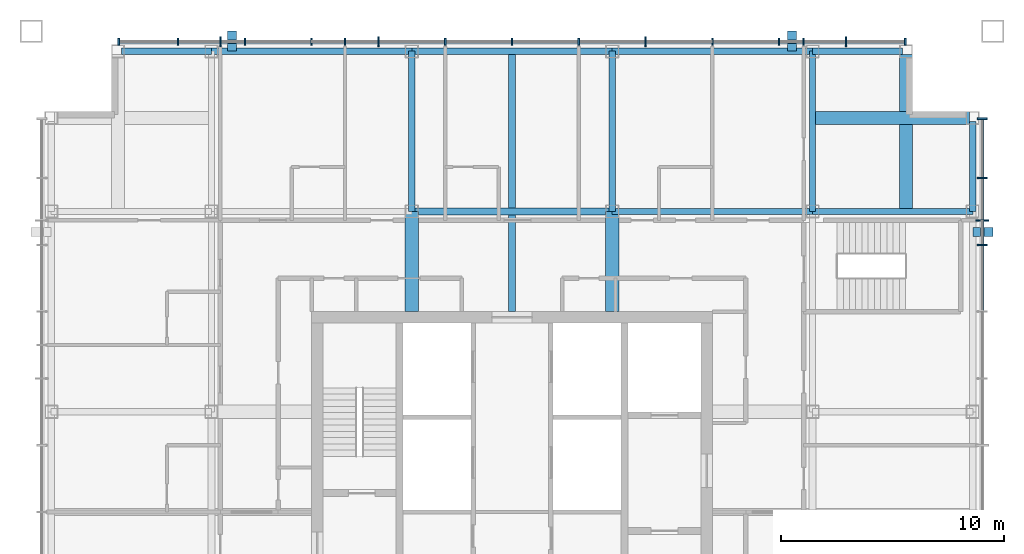
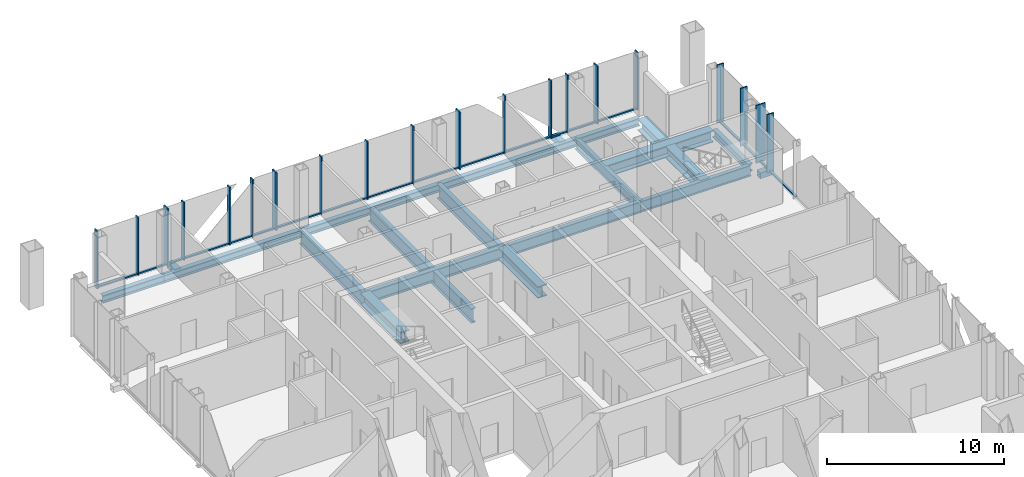
# One storey, part 5 of 14: 42 members, 17 beams, 2 elements without a shape of their own.
"""IFC4 building model written with IfcOpenShell, lengths in metres."""

from ifc_helpers import new_model, si_unit, direction, frame, origin, origin_2d, place, context, subcontext, project, spatial, rectangle, hollow_rectangle, i_section, extrude, material, layer, layer_set, material_profile, profile_set, type_object, element, aggregate, save


model = new_model("IFC4")

# Units and contexts
model_context = context("Model", 3, precision=1e-05, world=origin(), true_north=direction((0.0, 1.0)))
body_context = subcontext(model_context, "Body", "Model", "MODEL_VIEW")
ifc_project = project(units=[si_unit("LENGTHUNIT", "METRE"), si_unit("AREAUNIT", "SQUARE_METRE"), si_unit("VOLUMEUNIT", "CUBIC_METRE"), si_unit("PLANEANGLEUNIT", "RADIAN"), si_unit("MASSUNIT", "GRAM", prefix="KILO")], contexts=[model_context])

# Site, building, storey
site_placement = place(None, origin())
site = spatial("IfcSite", under=ifc_project, at=site_placement, CompositionType="ELEMENT")
building_placement = place(site_placement, origin())
building = spatial("IfcBuilding", under=site, at=building_placement, Name="Malebo Sky Hospital", CompositionType="ELEMENT")
storey_placement = place(building_placement, frame((0.0, 0.0, 258.0)))
storey = spatial("IfcBuildingStorey", under=building, at=storey_placement, Name="L62", CompositionType="ELEMENT", Elevation=258.0)

# Curtain wall, members
ifc_material_1 = material(Name="Anodised aluminium, natural silver", Category="aluminium")
ifc_layer_1 = layer(ifc_material_1, 0.25)
ifc_layer_set_1 = layer_set([ifc_layer_1], Name="WARD CURTAIN WALL NORTH AND SOUTH")
curtain_wall_type_1 = type_object("IfcCurtainWallType", Name="WARD CURTAIN WALL NORTH AND SOUTH", PredefinedType="NOTDEFINED", material=ifc_layer_set_1)
curtain_wall_1_placement = place(storey_placement, origin())
curtain_wall_1 = element("IfcCurtainWall", 1, at=curtain_wall_1_placement, inside=storey, type_object=curtain_wall_type_1, Name="NS curtain wall N", PredefinedType="NOTDEFINED")
ifc_material_profile_1 = material_profile(ifc_material_1, rectangle(XDim=0.14990234375, YDim=0.10009765625, at=origin_2d()), Name="ALUMINIUM TRANSOM 150x100")
ifc_profile_set_1 = profile_set([ifc_material_profile_1], Name="Anodised aluminium, natural silver")
member_type_1 = type_object("IfcMemberType", Name="ALUMINIUM TRANSOM 150x100", PredefinedType="USERDEFINED", material=ifc_profile_set_1)
member_1_placement = place(storey_placement, frame((42.375, 83.125, 0.050048828125), z_axis=(1.0, 0.0, 0.0), x_axis=(0.0, 1.0, 0.0)))
member_1 = element("IfcMember", 2, at=member_1_placement, type_object=member_type_1, Name="Transom 1", ObjectType="TRANSOM", PredefinedType="USERDEFINED", context=body_context, shape_type="SweptSolid", body=[
    extrude(rectangle(XDim=0.14990234375, YDim=0.10009765625, at=origin_2d()), origin(), (0.0, 0.0, 1.0), 2.58740234375),
])
member_2_placement = place(storey_placement, frame((45.03759765625, 83.125, 0.050048828125), z_axis=(1.0, 0.0, 0.0), x_axis=(0.0, 1.0, 0.0)))
member_2 = element("IfcMember", 3, at=member_2_placement, type_object=member_type_1, Name="Transom 2", ObjectType="TRANSOM", PredefinedType="USERDEFINED", context=body_context, shape_type="SweptSolid", body=[
    extrude(rectangle(XDim=0.14990234375, YDim=0.10009765625, at=origin_2d()), origin(), (0.0, 0.0, 1.0), 1.824951171875),
])
member_3_placement = place(storey_placement, frame((46.9375, 83.125, 0.050048828125), z_axis=(1.0, 0.0, 0.0), x_axis=(0.0, 1.0, 0.0)))
member_3 = element("IfcMember", 4, at=member_3_placement, type_object=member_type_1, Name="Transom 3", ObjectType="TRANSOM", PredefinedType="USERDEFINED", context=body_context, shape_type="SweptSolid", body=[
    extrude(rectangle(XDim=0.14990234375, YDim=0.10009765625, at=origin_2d()), origin(), (0.0, 0.0, 1.0), 1.02490234375),
])
member_4_placement = place(storey_placement, frame((48.03759765625, 83.125, 0.050048828125), z_axis=(1.0, 0.0, 0.0), x_axis=(0.0, 1.0, 0.0)))
member_4 = element("IfcMember", 5, at=member_4_placement, type_object=member_type_1, Name="Transom 4", ObjectType="TRANSOM", PredefinedType="USERDEFINED", context=body_context, shape_type="SweptSolid", body=[
    extrude(rectangle(XDim=0.14990234375, YDim=0.10009765625, at=origin_2d()), origin(), (0.0, 0.0, 1.0), 2.9248046875),
])
member_5_placement = place(storey_placement, frame((51.03759765625, 83.125, 0.050048828125), z_axis=(1.0, 0.0, 0.0), x_axis=(0.0, 1.0, 0.0)))
member_5 = element("IfcMember", 6, at=member_5_placement, type_object=member_type_1, Name="Transom 5", ObjectType="TRANSOM", PredefinedType="USERDEFINED", context=body_context, shape_type="SweptSolid", body=[
    extrude(rectangle(XDim=0.14990234375, YDim=0.10009765625, at=origin_2d()), origin(), (0.0, 0.0, 1.0), 1.4248046875),
])
member_6_placement = place(storey_placement, frame((52.53759765625, 83.125, 0.050048828125), z_axis=(1.0, 0.0, 0.0), x_axis=(0.0, 1.0, 0.0)))
member_6 = element("IfcMember", 7, at=member_6_placement, type_object=member_type_1, Name="Transom 6", ObjectType="TRANSOM", PredefinedType="USERDEFINED", context=body_context, shape_type="SweptSolid", body=[
    extrude(rectangle(XDim=0.14990234375, YDim=0.10009765625, at=origin_2d()), origin(), (0.0, 0.0, 1.0), 1.4248046875),
])
member_7_placement = place(storey_placement, frame((54.03759765625, 83.125, 0.050048828125), z_axis=(1.0, 0.0, 0.0), x_axis=(0.0, 1.0, 0.0)))
member_7 = element("IfcMember", 8, at=member_7_placement, type_object=member_type_1, Name="Transom 7", ObjectType="TRANSOM", PredefinedType="USERDEFINED", context=body_context, shape_type="SweptSolid", body=[
    extrude(rectangle(XDim=0.14990234375, YDim=0.10009765625, at=origin_2d()), origin(), (0.0, 0.0, 1.0), 2.9248046875),
])
member_8_placement = place(storey_placement, frame((57.03759765625, 83.125, 0.050048828125), z_axis=(1.0, 0.0, 0.0), x_axis=(0.0, 1.0, 0.0)))
member_8 = element("IfcMember", 9, at=member_8_placement, type_object=member_type_1, Name="Transom 8", ObjectType="TRANSOM", PredefinedType="USERDEFINED", context=body_context, shape_type="SweptSolid", body=[
    extrude(rectangle(XDim=0.14990234375, YDim=0.10009765625, at=origin_2d()), origin(), (0.0, 0.0, 1.0), 2.9248046875),
])
member_9_placement = place(storey_placement, frame((60.03759765625, 83.125, 0.050048828125), z_axis=(1.0, 0.0, 0.0), x_axis=(0.0, 1.0, 0.0)))
member_9 = element("IfcMember", 10, at=member_9_placement, type_object=member_type_1, Name="Transom 9", ObjectType="TRANSOM", PredefinedType="USERDEFINED", context=body_context, shape_type="SweptSolid", body=[
    extrude(rectangle(XDim=0.14990234375, YDim=0.10009765625, at=origin_2d()), origin(), (0.0, 0.0, 1.0), 2.9248046875),
])
member_10_placement = place(storey_placement, frame((63.03759765625, 83.125, 0.050048828125), z_axis=(1.0, 0.0, 0.0), x_axis=(0.0, 1.0, 0.0)))
member_10 = element("IfcMember", 11, at=member_10_placement, type_object=member_type_1, Name="Transom 10", ObjectType="TRANSOM", PredefinedType="USERDEFINED", context=body_context, shape_type="SweptSolid", body=[
    extrude(rectangle(XDim=0.14990234375, YDim=0.10009765625, at=origin_2d()), origin(), (0.0, 0.0, 1.0), 2.9248046875),
])
member_11_placement = place(storey_placement, frame((66.03759765625, 83.125, 0.050048828125), z_axis=(1.0, 0.0, 0.0), x_axis=(0.0, 1.0, 0.0)))
member_11 = element("IfcMember", 12, at=member_11_placement, type_object=member_type_1, Name="Transom 11", ObjectType="TRANSOM", PredefinedType="USERDEFINED", context=body_context, shape_type="SweptSolid", body=[
    extrude(rectangle(XDim=0.14990234375, YDim=0.10009765625, at=origin_2d()), origin(), (0.0, 0.0, 1.0), 2.9248046875),
])
member_12_placement = place(storey_placement, frame((69.03759765625, 83.125, 0.050048828125), z_axis=(1.0, 0.0, 0.0), x_axis=(0.0, 1.0, 0.0)))
member_12 = element("IfcMember", 13, at=member_12_placement, type_object=member_type_1, Name="Transom 12", ObjectType="TRANSOM", PredefinedType="USERDEFINED", context=body_context, shape_type="SweptSolid", body=[
    extrude(rectangle(XDim=0.14990234375, YDim=0.10009765625, at=origin_2d()), origin(), (0.0, 0.0, 1.0), 2.9248046875),
])
member_13_placement = place(storey_placement, frame((72.03759765625, 83.125, 0.050048828125), z_axis=(1.0, 0.0, 0.0), x_axis=(0.0, 1.0, 0.0)))
member_13 = element("IfcMember", 14, at=member_13_placement, type_object=member_type_1, Name="Transom 13", ObjectType="TRANSOM", PredefinedType="USERDEFINED", context=body_context, shape_type="SweptSolid", body=[
    extrude(rectangle(XDim=0.14990234375, YDim=0.10009765625, at=origin_2d()), origin(), (0.0, 0.0, 1.0), 1.02490234375),
])
member_14_placement = place(storey_placement, frame((73.137451171875, 83.125, 0.050048828125), z_axis=(1.0, 0.0, 0.0), x_axis=(0.0, 1.0, 0.0)))
member_14 = element("IfcMember", 15, at=member_14_placement, type_object=member_type_1, Name="Transom 14", ObjectType="TRANSOM", PredefinedType="USERDEFINED", context=body_context, shape_type="SweptSolid", body=[
    extrude(rectangle(XDim=0.14990234375, YDim=0.10009765625, at=origin_2d()), origin(), (0.0, 0.0, 1.0), 1.824951171875),
])
member_15_placement = place(storey_placement, frame((75.03759765625, 83.125, 0.050048828125), z_axis=(1.0, 0.0, 0.0), x_axis=(0.0, 1.0, 0.0)))
member_15 = element("IfcMember", 16, at=member_15_placement, type_object=member_type_1, Name="Transom 15", ObjectType="TRANSOM", PredefinedType="USERDEFINED", context=body_context, shape_type="SweptSolid", body=[
    extrude(rectangle(XDim=0.14990234375, YDim=0.10009765625, at=origin_2d()), origin(), (0.0, 0.0, 1.0), 2.58740234375),
])

ifc_layer_2 = layer(ifc_material_1, 0.25)
ifc_layer_set_2 = layer_set([ifc_layer_2], Name="WARD CURTAIN WALL EAST AND WEST")
curtain_wall_type_2 = type_object("IfcCurtainWallType", Name="WARD CURTAIN WALL EAST AND WEST", PredefinedType="NOTDEFINED", material=ifc_layer_set_2)
curtain_wall_2_placement = place(storey_placement, origin())
curtain_wall_2 = element("IfcCurtainWall", 17, at=curtain_wall_2_placement, inside=storey, type_object=curtain_wall_type_2, Name="EW curtain wall E", PredefinedType="NOTDEFINED")
member_16_placement = place(storey_placement, frame((81.125, 79.625, 0.050048828125), z_axis=(0.0, -1.0, 0.0), x_axis=(1.0, 0.0, 0.0)))
member_16 = element("IfcMember", 18, at=member_16_placement, type_object=member_type_1, Name="Transom 1", ObjectType="TRANSOM", PredefinedType="USERDEFINED", context=body_context, shape_type="SweptSolid", body=[
    extrude(rectangle(XDim=0.14990234375, YDim=0.10009765625, at=origin_2d()), origin(), (0.0, 0.0, 1.0), 2.58740234375),
])
member_17_placement = place(storey_placement, frame((81.125, 76.96240234375, 0.050048828125), z_axis=(0.0, -1.0, 0.0), x_axis=(1.0, 0.0, 0.0)))
member_17 = element("IfcMember", 19, at=member_17_placement, type_object=member_type_1, Name="Transom 2", ObjectType="TRANSOM", PredefinedType="USERDEFINED", context=body_context, shape_type="SweptSolid", body=[
    extrude(rectangle(XDim=0.14990234375, YDim=0.10009765625, at=origin_2d()), origin(), (0.0, 0.0, 1.0), 1.824951171875),
])
member_18_placement = place(storey_placement, frame((81.125, 75.0625, 0.050048828125), z_axis=(0.0, -1.0, 0.0), x_axis=(1.0, 0.0, 0.0)))
member_18 = element("IfcMember", 20, at=member_18_placement, type_object=member_type_1, Name="Transom 3", ObjectType="TRANSOM", PredefinedType="USERDEFINED", context=body_context, shape_type="SweptSolid", body=[
    extrude(rectangle(XDim=0.14990234375, YDim=0.10009765625, at=origin_2d()), origin(), (0.0, 0.0, 1.0), 1.02490234375),
])
member_19_placement = place(storey_placement, frame((81.125, 73.96240234375, 0.050048828125), z_axis=(0.0, -1.0, 0.0), x_axis=(1.0, 0.0, 0.0)))
member_19 = element("IfcMember", 21, at=member_19_placement, type_object=member_type_1, Name="Transom 4", ObjectType="TRANSOM", PredefinedType="USERDEFINED", context=body_context, shape_type="SweptSolid", body=[
    extrude(rectangle(XDim=0.14990234375, YDim=0.10009765625, at=origin_2d()), origin(), (0.0, 0.0, 1.0), 2.9248046875),
])

# Members
ifc_material_2 = material(Name="Steel S355", Category="steel")
ifc_material_profile_2 = material_profile(ifc_material_2, hollow_rectangle(XDim=0.39990234375, YDim=0.39990234375, WallThickness=0.02001953125, at=origin_2d()), Name="SHS 400x20")
ifc_profile_set_2 = profile_set([ifc_material_profile_2], Name="Steel S355")
member_type_2 = type_object("IfcMemberType", Name="BRACE STRUT SHS 400x20", PredefinedType="STRUT", material=ifc_profile_set_2)
for number, where, z_axis, x_axis, name in (
    (22, (72.575439453125, 83.60009765625, -0.39990234375), (0.0, -1.0, 0.0), (1.0, 0.0, 0.0), "Brace strut DN1 L62"),
    (23, (47.424560546875, 83.60009765625, -0.39990234375), (0.0, -1.0, 0.0), (1.0, 0.0, 0.0), "Brace strut DN2 L62"),
    (24, (81.60009765625, 74.575439453125, -0.39990234375), (-1.0, 0.0, 0.0), (0.0, -1.0, 0.0), "Brace strut DE2 L62"),
):
    element("IfcMember", number, at=place(storey_placement, frame(where, z_axis=z_axis, x_axis=x_axis)), inside=storey, type_object=member_type_2, Name=name, PredefinedType="STRUT", context=body_context, shape_type="SweptSolid", body=[
        extrude(hollow_rectangle(XDim=0.39990234375, YDim=0.39990234375, WallThickness=0.02001953125, at=origin_2d()), origin(), (0.0, 0.0, 1.0), 0.900146484375),
    ])

# Member
ifc_material_profile_3 = material_profile(ifc_material_1, rectangle(XDim=0.074951171875, YDim=0.300048828125, at=origin_2d()), Name="CW1 ALUMINIUM FIN MULLION 75x300")
ifc_profile_set_3 = profile_set([ifc_material_profile_3], Name="Anodised aluminium, natural silver")
member_type_3 = type_object("IfcMemberType", Name="CW1 ALUMINIUM FIN MULLION 75x300", PredefinedType="MULLION", material=ifc_profile_set_3)
member_20_placement = place(storey_placement, frame((42.33740234375, 83.125, 0.0), z_axis=(0.0, 0.0, 1.0), x_axis=(1.0, 0.0, 0.0)))
member_20 = element("IfcMember", 25, at=member_20_placement, type_object=member_type_3, Name="Fin mullion 1", PredefinedType="MULLION", context=body_context, shape_type="SweptSolid", body=[
    extrude(rectangle(XDim=0.074951171875, YDim=0.300048828125, at=origin_2d()), origin(), (0.0, 0.0, 1.0), 4.0),
])

member_21_placement = place(storey_placement, frame((45.0, 83.125, 0.0), z_axis=(0.0, 0.0, 1.0), x_axis=(1.0, 0.0, 0.0)))
member_21 = element("IfcMember", 26, at=member_21_placement, type_object=member_type_3, Name="Fin mullion 2", PredefinedType="MULLION", context=body_context, shape_type="SweptSolid", body=[
    extrude(rectangle(XDim=0.074951171875, YDim=0.300048828125, at=origin_2d()), origin(), (0.0, 0.0, 1.0), 4.0),
])

member_22_placement = place(storey_placement, frame((48.0, 83.125, 0.0), z_axis=(0.0, 0.0, 1.0), x_axis=(1.0, 0.0, 0.0)))
member_22 = element("IfcMember", 27, at=member_22_placement, type_object=member_type_3, Name="Fin mullion 4", PredefinedType="MULLION", context=body_context, shape_type="SweptSolid", body=[
    extrude(rectangle(XDim=0.074951171875, YDim=0.300048828125, at=origin_2d()), origin(), (0.0, 0.0, 1.0), 4.0),
])

member_23_placement = place(storey_placement, frame((51.0, 83.125, 0.0), z_axis=(0.0, 0.0, 1.0), x_axis=(1.0, 0.0, 0.0)))
member_23 = element("IfcMember", 28, at=member_23_placement, type_object=member_type_3, Name="Fin mullion 5", PredefinedType="MULLION", context=body_context, shape_type="SweptSolid", body=[
    extrude(rectangle(XDim=0.074951171875, YDim=0.300048828125, at=origin_2d()), origin(), (0.0, 0.0, 1.0), 4.0),
])

member_24_placement = place(storey_placement, frame((52.5, 83.125, 0.0), z_axis=(0.0, 0.0, 1.0), x_axis=(1.0, 0.0, 0.0)))
member_24 = element("IfcMember", 29, at=member_24_placement, type_object=member_type_3, Name="Fin mullion 6", PredefinedType="MULLION", context=body_context, shape_type="SweptSolid", body=[
    extrude(rectangle(XDim=0.074951171875, YDim=0.300048828125, at=origin_2d()), origin(), (0.0, 0.0, 1.0), 4.0),
])

member_25_placement = place(storey_placement, frame((57.0, 83.125, 0.0), z_axis=(0.0, 0.0, 1.0), x_axis=(1.0, 0.0, 0.0)))
member_25 = element("IfcMember", 30, at=member_25_placement, type_object=member_type_3, Name="Fin mullion 8", PredefinedType="MULLION", context=body_context, shape_type="SweptSolid", body=[
    extrude(rectangle(XDim=0.074951171875, YDim=0.300048828125, at=origin_2d()), origin(), (0.0, 0.0, 1.0), 4.0),
])

member_26_placement = place(storey_placement, frame((60.0, 83.125, 0.0), z_axis=(0.0, 0.0, 1.0), x_axis=(1.0, 0.0, 0.0)))
member_26 = element("IfcMember", 31, at=member_26_placement, type_object=member_type_3, Name="Fin mullion 9", PredefinedType="MULLION", context=body_context, shape_type="SweptSolid", body=[
    extrude(rectangle(XDim=0.074951171875, YDim=0.300048828125, at=origin_2d()), origin(), (0.0, 0.0, 1.0), 4.0),
])

member_27_placement = place(storey_placement, frame((63.0, 83.125, 0.0), z_axis=(0.0, 0.0, 1.0), x_axis=(1.0, 0.0, 0.0)))
member_27 = element("IfcMember", 32, at=member_27_placement, type_object=member_type_3, Name="Fin mullion 10", PredefinedType="MULLION", context=body_context, shape_type="SweptSolid", body=[
    extrude(rectangle(XDim=0.074951171875, YDim=0.300048828125, at=origin_2d()), origin(), (0.0, 0.0, 1.0), 4.0),
])

member_28_placement = place(storey_placement, frame((69.0, 83.125, 0.0), z_axis=(0.0, 0.0, 1.0), x_axis=(1.0, 0.0, 0.0)))
member_28 = element("IfcMember", 33, at=member_28_placement, type_object=member_type_3, Name="Fin mullion 12", PredefinedType="MULLION", context=body_context, shape_type="SweptSolid", body=[
    extrude(rectangle(XDim=0.074951171875, YDim=0.300048828125, at=origin_2d()), origin(), (0.0, 0.0, 1.0), 4.0),
])

member_29_placement = place(storey_placement, frame((72.0, 83.125, 0.0), z_axis=(0.0, 0.0, 1.0), x_axis=(1.0, 0.0, 0.0)))
member_29 = element("IfcMember", 34, at=member_29_placement, type_object=member_type_3, Name="Fin mullion 13", PredefinedType="MULLION", context=body_context, shape_type="SweptSolid", body=[
    extrude(rectangle(XDim=0.074951171875, YDim=0.300048828125, at=origin_2d()), origin(), (0.0, 0.0, 1.0), 4.0),
])

member_30_placement = place(storey_placement, frame((73.10009765625, 83.125, 0.0), z_axis=(0.0, 0.0, 1.0), x_axis=(1.0, 0.0, 0.0)))
member_30 = element("IfcMember", 35, at=member_30_placement, type_object=member_type_3, Name="Fin mullion 14", PredefinedType="MULLION", context=body_context, shape_type="SweptSolid", body=[
    extrude(rectangle(XDim=0.074951171875, YDim=0.300048828125, at=origin_2d()), origin(), (0.0, 0.0, 1.0), 4.0),
])

member_31_placement = place(storey_placement, frame((77.66259765625, 83.125, 0.0), z_axis=(0.0, 0.0, 1.0), x_axis=(1.0, 0.0, 0.0)))
member_31 = element("IfcMember", 36, at=member_31_placement, type_object=member_type_3, Name="Fin mullion 16", PredefinedType="MULLION", context=body_context, shape_type="SweptSolid", body=[
    extrude(rectangle(XDim=0.074951171875, YDim=0.300048828125, at=origin_2d()), origin(), (0.0, 0.0, 1.0), 4.0),
])

ifc_material_profile_4 = material_profile(ifc_material_1, rectangle(XDim=0.074951171875, YDim=0.449951171875, at=origin_2d()), Name="CW1 ALUMINIUM FIN MULLION 75x450")
ifc_profile_set_4 = profile_set([ifc_material_profile_4], Name="Anodised aluminium, natural silver")
member_type_4 = type_object("IfcMemberType", Name="CW1 ALUMINIUM FIN MULLION 75x450", PredefinedType="MULLION", material=ifc_profile_set_4)
member_32_placement = place(storey_placement, frame((46.89990234375, 83.125, 0.0), z_axis=(0.0, 0.0, 1.0), x_axis=(1.0, 0.0, 0.0)))
member_32 = element("IfcMember", 37, at=member_32_placement, type_object=member_type_4, Name="Fin mullion 3", PredefinedType="MULLION", context=body_context, shape_type="SweptSolid", body=[
    extrude(rectangle(XDim=0.074951171875, YDim=0.449951171875, at=origin_2d()), origin(), (0.0, 0.0, 1.0), 4.0),
])

member_33_placement = place(storey_placement, frame((54.0, 83.125, 0.0), z_axis=(0.0, 0.0, 1.0), x_axis=(1.0, 0.0, 0.0)))
member_33 = element("IfcMember", 38, at=member_33_placement, type_object=member_type_4, Name="Fin mullion 7", PredefinedType="MULLION", context=body_context, shape_type="SweptSolid", body=[
    extrude(rectangle(XDim=0.074951171875, YDim=0.449951171875, at=origin_2d()), origin(), (0.0, 0.0, 1.0), 4.0),
])

member_34_placement = place(storey_placement, frame((66.0, 83.125, 0.0), z_axis=(0.0, 0.0, 1.0), x_axis=(1.0, 0.0, 0.0)))
member_34 = element("IfcMember", 39, at=member_34_placement, type_object=member_type_4, Name="Fin mullion 11", PredefinedType="MULLION", context=body_context, shape_type="SweptSolid", body=[
    extrude(rectangle(XDim=0.074951171875, YDim=0.449951171875, at=origin_2d()), origin(), (0.0, 0.0, 1.0), 4.0),
])

member_35_placement = place(storey_placement, frame((75.0, 83.125, 0.0), z_axis=(0.0, 0.0, 1.0), x_axis=(1.0, 0.0, 0.0)))
member_35 = element("IfcMember", 40, at=member_35_placement, type_object=member_type_4, Name="Fin mullion 15", PredefinedType="MULLION", context=body_context, shape_type="SweptSolid", body=[
    extrude(rectangle(XDim=0.074951171875, YDim=0.449951171875, at=origin_2d()), origin(), (0.0, 0.0, 1.0), 4.0),
])

aggregate(curtain_wall_1, [member_20, member_21, member_32, member_22, member_23, member_24, member_33, member_25, member_26, member_27, member_34, member_28, member_29, member_30, member_35, member_31, member_1, member_2, member_3, member_4, member_5, member_6, member_7, member_8, member_9, member_10, member_11, member_12, member_13, member_14, member_15])

ifc_material_profile_5 = material_profile(ifc_material_1, rectangle(XDim=0.074951171875, YDim=0.449951171875, at=origin_2d()), Name="CW2 ALUMINIUM FIN MULLION 75x450")
ifc_profile_set_5 = profile_set([ifc_material_profile_5], Name="Anodised aluminium, natural silver")
member_type_5 = type_object("IfcMemberType", Name="CW2 ALUMINIUM FIN MULLION 75x450", PredefinedType="MULLION", material=ifc_profile_set_5)
member_36_placement = place(storey_placement, frame((81.125, 79.66259765625, 0.0), z_axis=(0.0, 0.0, 1.0), x_axis=(0.0, -1.0, 0.0)))
member_36 = element("IfcMember", 41, at=member_36_placement, type_object=member_type_5, Name="Fin mullion 1", PredefinedType="MULLION", context=body_context, shape_type="SweptSolid", body=[
    extrude(rectangle(XDim=0.074951171875, YDim=0.449951171875, at=origin_2d()), origin(), (0.0, 0.0, 1.0), 4.0),
])

member_37_placement = place(storey_placement, frame((81.125, 77.0, 0.0), z_axis=(0.0, 0.0, 1.0), x_axis=(0.0, -1.0, 0.0)))
member_37 = element("IfcMember", 42, at=member_37_placement, type_object=member_type_5, Name="Fin mullion 2", PredefinedType="MULLION", context=body_context, shape_type="SweptSolid", body=[
    extrude(rectangle(XDim=0.074951171875, YDim=0.449951171875, at=origin_2d()), origin(), (0.0, 0.0, 1.0), 4.0),
])

member_38_placement = place(storey_placement, frame((81.125, 74.0, 0.0), z_axis=(0.0, 0.0, 1.0), x_axis=(0.0, -1.0, 0.0)))
member_38 = element("IfcMember", 43, at=member_38_placement, type_object=member_type_5, Name="Fin mullion 4", PredefinedType="MULLION", context=body_context, shape_type="SweptSolid", body=[
    extrude(rectangle(XDim=0.074951171875, YDim=0.449951171875, at=origin_2d()), origin(), (0.0, 0.0, 1.0), 4.0),
])

ifc_material_profile_6 = material_profile(ifc_material_1, rectangle(XDim=0.074951171875, YDim=0.60009765625, at=origin_2d()), Name="CW2 ALUMINIUM FIN MULLION 75x600")
ifc_profile_set_6 = profile_set([ifc_material_profile_6], Name="Anodised aluminium, natural silver")
member_type_6 = type_object("IfcMemberType", Name="CW2 ALUMINIUM FIN MULLION 75x600", PredefinedType="MULLION", material=ifc_profile_set_6)
member_39_placement = place(storey_placement, frame((81.125, 75.10009765625, 0.0), z_axis=(0.0, 0.0, 1.0), x_axis=(0.0, -1.0, 0.0)))
member_39 = element("IfcMember", 44, at=member_39_placement, type_object=member_type_6, Name="Fin mullion 3", PredefinedType="MULLION", context=body_context, shape_type="SweptSolid", body=[
    extrude(rectangle(XDim=0.074951171875, YDim=0.60009765625, at=origin_2d()), origin(), (0.0, 0.0, 1.0), 4.0),
])

aggregate(curtain_wall_2, [member_36, member_37, member_39, member_38, member_16, member_17, member_18, member_19])

# Beams
ifc_material_profile_7 = material_profile(ifc_material_2, i_section(OverallWidth=0.305908203125, OverallDepth=0.52392578125, WebThickness=0.02099609375, FlangeThickness=0.0400390625, FilletRadius=0.027099609375, at=origin_2d()), Name="HEM 500")
ifc_profile_set_7 = profile_set([ifc_material_profile_7], Name="Steel S355")
beam_type_1 = type_object("IfcBeamType", Name="EDGE BEAM HEM 500", PredefinedType="BEAM", material=ifc_profile_set_7)
for number, where, z_axis, x_axis, name in (
    (45, (80.699951171875, 75.5, -0.511962890625), (0.0, 1.0, 0.0), (-1.0, 0.0, 0.0), "Beam 033 L62"),
    (46, (42.449951171875, 82.699951171875, -0.511962890625), (1.0, 0.0, 0.0), (0.0, 1.0, 0.0), "Beam 063 L62"),
):
    element("IfcBeam", number, at=place(storey_placement, frame(where, z_axis=z_axis, x_axis=x_axis)), inside=storey, type_object=beam_type_1, Name=name, PredefinedType="BEAM", context=body_context, shape_type="SweptSolid", body=[
        extrude(i_section(OverallWidth=0.305908203125, OverallDepth=0.52392578125, WebThickness=0.02099609375, FlangeThickness=0.0400390625, FilletRadius=0.027099609375, at=origin_2d()), origin(), (0.0, 0.0, 1.0), 4.050048828125),
    ])
for number, where, z_axis, x_axis, name in (
    (47, (46.5, 82.699951171875, -0.511962890625), (1.0, 0.0, 0.0), (0.0, 1.0, 0.0), "Beam 064 L62"),
    (48, (55.5, 82.699951171875, -0.511962890625), (1.0, 0.0, 0.0), (0.0, 1.0, 0.0), "Beam 065 L62"),
    (49, (64.5, 82.699951171875, -0.511962890625), (1.0, 0.0, 0.0), (0.0, 1.0, 0.0), "Beam 066 L62"),
):
    element("IfcBeam", number, at=place(storey_placement, frame(where, z_axis=z_axis, x_axis=x_axis)), inside=storey, type_object=beam_type_1, Name=name, PredefinedType="BEAM", context=body_context, shape_type="SweptSolid", body=[
        extrude(i_section(OverallWidth=0.305908203125, OverallDepth=0.52392578125, WebThickness=0.02099609375, FlangeThickness=0.0400390625, FilletRadius=0.027099609375, at=origin_2d()), origin(), (0.0, 0.0, 1.0), 9.0),
    ])
beam_1_placement = place(storey_placement, frame((73.5, 82.699951171875, -0.511962890625), z_axis=(1.0, 0.0, 0.0), x_axis=(0.0, 1.0, 0.0)))
element("IfcBeam", 50, at=beam_1_placement, inside=storey, type_object=beam_type_1, Name="Beam 067 L62", PredefinedType="BEAM", context=body_context, shape_type="SweptSolid", body=[
    extrude(i_section(OverallWidth=0.305908203125, OverallDepth=0.52392578125, WebThickness=0.02099609375, FlangeThickness=0.0400390625, FilletRadius=0.027099609375, at=origin_2d()), origin(), (0.0, 0.0, 1.0), 4.050048828125),
])
ifc_material_profile_8 = material_profile(ifc_material_2, i_section(OverallWidth=0.300048828125, OverallDepth=1.0, WebThickness=0.01904296875, FlangeThickness=0.035888671875, FilletRadius=0.030029296875, at=origin_2d()), Name="HEB 1000")
ifc_profile_set_8 = profile_set([ifc_material_profile_8], Name="Steel S355")
beam_type_2 = type_object("IfcBeamType", Name="FLOOR BEAM HEB 1000", PredefinedType="BEAM", material=ifc_profile_set_8)
beam_2_placement = place(storey_placement, frame((55.5, 75.5, -0.75), z_axis=(0.0, 1.0, 0.0), x_axis=(-1.0, 0.0, 0.0)))
element("IfcBeam", 51, at=beam_2_placement, inside=storey, type_object=beam_type_2, Name="Beam 015 L62", PredefinedType="BEAM", context=body_context, shape_type="SweptSolid", body=[
    extrude(i_section(OverallWidth=0.300048828125, OverallDepth=1.0, WebThickness=0.01904296875, FlangeThickness=0.035888671875, FilletRadius=0.030029296875, at=origin_2d()), origin(), (0.0, 0.0, 1.0), 7.199951171875),
])
beam_3_placement = place(storey_placement, frame((60.0, 71.0, -0.75), z_axis=(0.0, 1.0, 0.0), x_axis=(-1.0, 0.0, 0.0)))
element("IfcBeam", 52, at=beam_3_placement, inside=storey, type_object=beam_type_2, Name="Beam 017 L62", PredefinedType="BEAM", context=body_context, shape_type="SweptSolid", body=[
    extrude(i_section(OverallWidth=0.300048828125, OverallDepth=1.0, WebThickness=0.01904296875, FlangeThickness=0.035888671875, FilletRadius=0.030029296875, at=origin_2d()), origin(), (0.0, 0.0, 1.0), 11.699951171875),
])
beam_4_placement = place(storey_placement, frame((64.5, 75.5, -0.75), z_axis=(0.0, 1.0, 0.0), x_axis=(-1.0, 0.0, 0.0)))
element("IfcBeam", 53, at=beam_4_placement, inside=storey, type_object=beam_type_2, Name="Beam 021 L62", PredefinedType="BEAM", context=body_context, shape_type="SweptSolid", body=[
    extrude(i_section(OverallWidth=0.300048828125, OverallDepth=1.0, WebThickness=0.01904296875, FlangeThickness=0.035888671875, FilletRadius=0.030029296875, at=origin_2d()), origin(), (0.0, 0.0, 1.0), 7.199951171875),
])
ifc_material_profile_9 = material_profile(ifc_material_2, i_section(OverallWidth=0.26708984375, OverallDepth=0.761962890625, WebThickness=0.014404296875, FlangeThickness=0.021484375, FilletRadius=0.01708984375, at=origin_2d()), Name="IPE 750x173")
ifc_profile_set_9 = profile_set([ifc_material_profile_9], Name="Steel S355")
beam_type_3 = type_object("IfcBeamType", Name="FLOOR BEAM IPE 750x173", PredefinedType="BEAM", material=ifc_profile_set_9)
beam_5_placement = place(storey_placement, frame((64.5, 75.5, -0.631103515625), z_axis=(1.0, 0.0, 0.0), x_axis=(0.0, 1.0, 0.0)))
element("IfcBeam", 54, at=beam_5_placement, inside=storey, type_object=beam_type_3, Name="Beam 059 L62", PredefinedType="BEAM", context=body_context, shape_type="SweptSolid", body=[
    extrude(i_section(OverallWidth=0.26708984375, OverallDepth=0.761962890625, WebThickness=0.014404296875, FlangeThickness=0.021484375, FilletRadius=0.01708984375, at=origin_2d()), origin(), (0.0, 0.0, 1.0), 9.0),
])
ifc_material_profile_10 = material_profile(ifc_material_2, i_section(OverallWidth=0.60009765625, OverallDepth=0.800048828125, WebThickness=0.0400390625, FlangeThickness=0.06005859375, at=origin_2d()), Name="PG 800x600x40x60")
ifc_profile_set_10 = profile_set([ifc_material_profile_10], Name="Steel S355")
beam_type_4 = type_object("IfcBeamType", Name="FLOOR BEAM PG 800x600x40x60", PredefinedType="BEAM", material=ifc_profile_set_10)
for number, where, z_axis, x_axis, name in (
    (55, (55.5, 71.0, -0.64990234375), (0.0, 1.0, 0.0), (-1.0, 0.0, 0.0), "Beam 014 L62"),
    (56, (64.5, 71.0, -0.64990234375), (0.0, 1.0, 0.0), (-1.0, 0.0, 0.0), "Beam 020 L62"),
):
    element("IfcBeam", number, at=place(storey_placement, frame(where, z_axis=z_axis, x_axis=x_axis)), inside=storey, type_object=beam_type_4, Name=name, PredefinedType="BEAM", context=body_context, shape_type="SweptSolid", body=[
        extrude(i_section(OverallWidth=0.60009765625, OverallDepth=0.800048828125, WebThickness=0.0400390625, FlangeThickness=0.06005859375, at=origin_2d()), origin(), (0.0, 0.0, 1.0), 4.5),
    ])
for number, where, z_axis, x_axis, name in (
    (57, (77.699951171875, 75.5, -0.64990234375), (0.0, 1.0, 0.0), (-1.0, 0.0, 0.0), "Beam 028 L62"),
    (58, (73.5, 79.699951171875, -0.64990234375), (1.0, 0.0, 0.0), (0.0, 1.0, 0.0), "Beam 062 L62"),
):
    element("IfcBeam", number, at=place(storey_placement, frame(where, z_axis=z_axis, x_axis=x_axis)), inside=storey, type_object=beam_type_4, Name=name, PredefinedType="BEAM", context=body_context, shape_type="SweptSolid", body=[
        extrude(i_section(OverallWidth=0.60009765625, OverallDepth=0.800048828125, WebThickness=0.0400390625, FlangeThickness=0.06005859375, at=origin_2d()), origin(), (0.0, 0.0, 1.0), 7.050048828125),
    ])
ifc_material_profile_11 = material_profile(ifc_material_2, i_section(OverallWidth=0.262939453125, OverallDepth=0.7529296875, WebThickness=0.011474609375, FlangeThickness=0.01708984375, FilletRadius=0.01708984375, at=origin_2d()), Name="IPE 750x137")
ifc_profile_set_11 = profile_set([ifc_material_profile_11], Name="Steel S355")
beam_type_5 = type_object("IfcBeamType", Name="FLOOR GIRDER IPE 750x137", PredefinedType="BEAM", material=ifc_profile_set_11)
for number, where, z_axis, x_axis, name in (
    (59, (73.5, 75.5, -0.62646484375), (0.0, 1.0, 0.0), (-1.0, 0.0, 0.0), "Beam 026 L62"),
    (60, (73.5, 75.5, -0.62646484375), (1.0, 0.0, 0.0), (0.0, 1.0, 0.0), "Beam 060 L62"),
):
    element("IfcBeam", number, at=place(storey_placement, frame(where, z_axis=z_axis, x_axis=x_axis)), inside=storey, type_object=beam_type_5, Name=name, PredefinedType="BEAM", context=body_context, shape_type="SweptSolid", body=[
        extrude(i_section(OverallWidth=0.262939453125, OverallDepth=0.7529296875, WebThickness=0.011474609375, FlangeThickness=0.01708984375, FilletRadius=0.01708984375, at=origin_2d()), origin(), (0.0, 0.0, 1.0), 7.199951171875),
    ])
ifc_material_profile_12 = material_profile(ifc_material_2, i_section(OverallWidth=0.300048828125, OverallDepth=0.800048828125, WebThickness=0.017578125, FlangeThickness=0.032958984375, FilletRadius=0.030029296875, at=origin_2d()), Name="HEB 800")
ifc_profile_set_12 = profile_set([ifc_material_profile_12], Name="Steel S355")
beam_type_6 = type_object("IfcBeamType", Name="RING GIRDER HEB 800", PredefinedType="BEAM", material=ifc_profile_set_12)
beam_6_placement = place(storey_placement, frame((55.5, 75.5, -0.64990234375), z_axis=(1.0, 0.0, 0.0), x_axis=(0.0, 1.0, 0.0)))
element("IfcBeam", 61, at=beam_6_placement, inside=storey, type_object=beam_type_6, Name="Beam 058 L62", PredefinedType="BEAM", context=body_context, shape_type="SweptSolid", body=[
    extrude(i_section(OverallWidth=0.300048828125, OverallDepth=0.800048828125, WebThickness=0.017578125, FlangeThickness=0.032958984375, FilletRadius=0.030029296875, at=origin_2d()), origin(), (0.0, 0.0, 1.0), 9.0),
])

save(model, "model.ifc")
